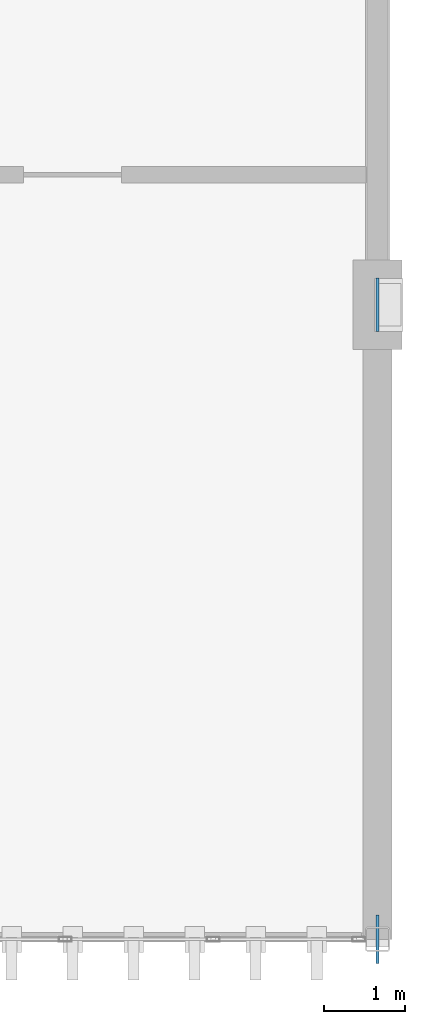
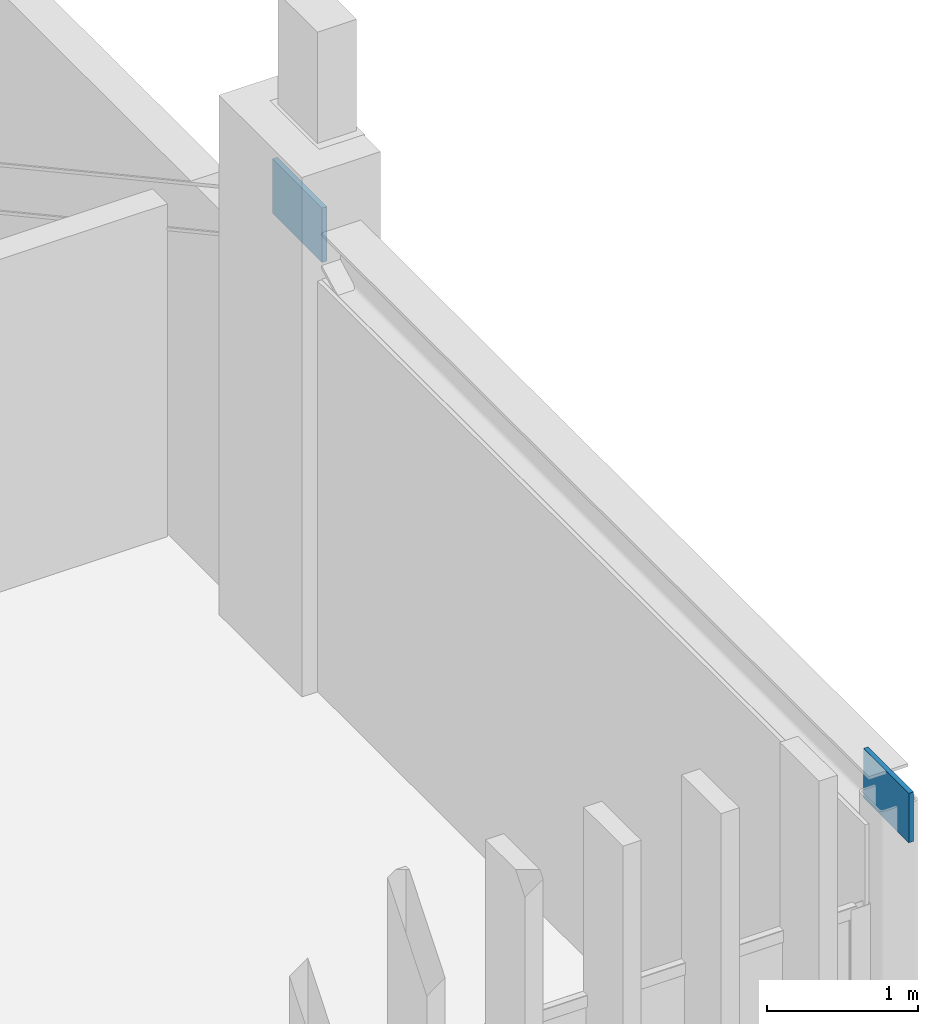
# One storey, part 30 of 51: 2 plates.
"""IFC4 building model written with IfcOpenShell, lengths in metres."""

from ifc_helpers import new_model, si_unit, direction, frame, origin, origin_2d, place, context, subcontext, project, spatial, rectangle, extrude, material, layer, layer_set, type_object, element, save


model = new_model("IFC4")

# Units and contexts
model_context = context("Model", 3, precision=1e-05, world=origin(), true_north=direction((0.0, 1.0)))
body_context = subcontext(model_context, "Body", "Model", "MODEL_VIEW")
ifc_project = project(units=[si_unit("LENGTHUNIT", "METRE"), si_unit("AREAUNIT", "SQUARE_METRE"), si_unit("VOLUMEUNIT", "CUBIC_METRE"), si_unit("PLANEANGLEUNIT", "RADIAN"), si_unit("MASSUNIT", "GRAM", prefix="KILO")], contexts=[model_context])

# Site, building, storey
site_placement = place(None, origin())
site = spatial("IfcSite", under=ifc_project, at=site_placement, CompositionType="ELEMENT")
building_placement = place(site_placement, origin())
building = spatial("IfcBuilding", under=site, at=building_placement, Name="Qasida Concert Hall", CompositionType="ELEMENT")
storey_placement = place(building_placement, frame((0.0, 0.0, 21.0)))
storey = spatial("IfcBuildingStorey", under=building, at=storey_placement, Name="L05", CompositionType="ELEMENT", Elevation=21.0)

# Plates
ifc_material = material(Name="Steel S355J2", Category="steel")
ifc_layer_1 = layer(ifc_material, 0.035888671875, Name="Steel S355J2")
ifc_layer_set_1 = layer_set([ifc_layer_1], Name="Steel S355J2")
plate_type_1 = type_object("IfcPlateType", Name="PLT-PL-KN1", PredefinedType="USERDEFINED", material=ifc_layer_set_1)
plate_1_placement = place(storey_placement, frame((105.0, 14.699951171875, 3.300048828125), z_axis=(0.0, 0.0, 1.0), x_axis=(1.0, 0.0, 0.0)))
element("IfcPlate", 1, at=plate_1_placement, inside=storey, type_object=plate_type_1, Name="Wall truss node plate KN-0019", ObjectType="GUSSET_PLATE", PredefinedType="USERDEFINED", context=body_context, shape_type="SweptSolid", body=[
    extrude(rectangle(XDim=0.035888671875, YDim=0.60009765625, at=origin_2d()), origin(), (0.0, 0.0, 1.0), 0.39990234375),
])
ifc_layer_2 = layer(ifc_material, 0.0380859375, Name="Steel S355J2")
ifc_layer_set_2 = layer_set([ifc_layer_2], Name="Steel S355J2")
plate_type_2 = type_object("IfcPlateType", Name="PLT-PL-KN5", PredefinedType="USERDEFINED", material=ifc_layer_set_2)
plate_2_placement = place(storey_placement, frame((105.0, 22.5, 3.280029296875), z_axis=(0.0, 0.0, 1.0), x_axis=(1.0, 0.0, 0.0)))
element("IfcPlate", 2, at=plate_2_placement, inside=storey, type_object=plate_type_2, Name="Wall truss node plate KN-0020", ObjectType="GUSSET_PLATE", PredefinedType="USERDEFINED", context=body_context, shape_type="SweptSolid", body=[
    extrude(rectangle(XDim=0.0380859375, YDim=0.659912109375, at=origin_2d()), origin(), (0.0, 0.0, 1.0), 0.43994140625),
])

save(model, "model.ifc")
